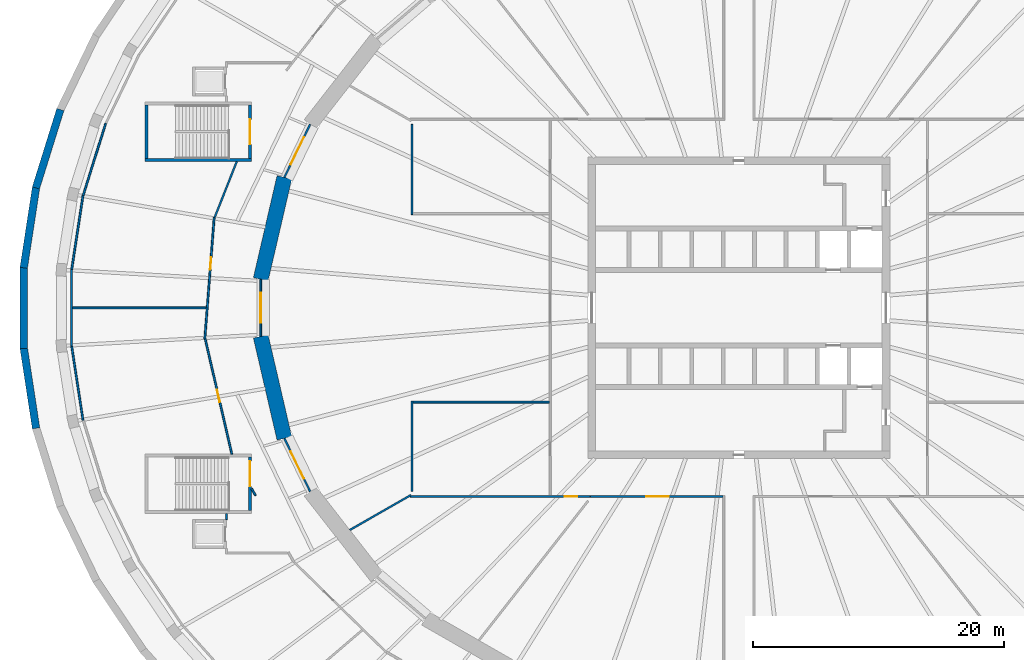
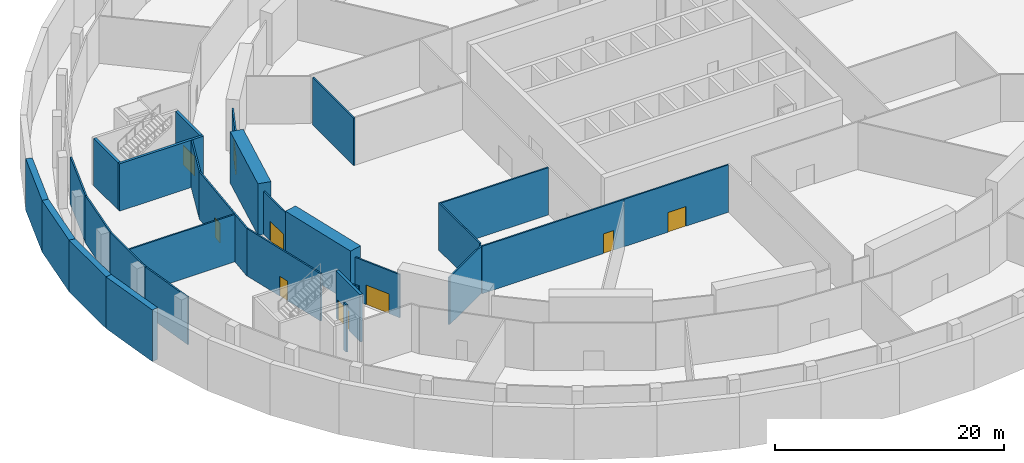
# One storey, part 6 of 14: 29 walls, 9 doors, 9 openings.
"""IFC4 building model written with IfcOpenShell, lengths in metres."""

from ifc_helpers import new_model, si_unit, direction, frame, frame_2d, origin, place, context, subcontext, project, spatial, polyline, rectangle, outline, extrude, material, layer, layer_set, type_object, element, fill, save


model = new_model("IFC4")

# Units and contexts
model_context = context("Model", 3, precision=1e-05, world=origin(), true_north=direction((0.0, 1.0)))
body_context = subcontext(model_context, "Body", "Model", "MODEL_VIEW")
ifc_project = project(units=[si_unit("LENGTHUNIT", "METRE"), si_unit("AREAUNIT", "SQUARE_METRE"), si_unit("VOLUMEUNIT", "CUBIC_METRE"), si_unit("PLANEANGLEUNIT", "RADIAN"), si_unit("MASSUNIT", "GRAM", prefix="KILO")], contexts=[model_context])

# Site, building, storey
site_placement = place(None, origin())
site = spatial("IfcSite", under=ifc_project, at=site_placement, CompositionType="ELEMENT")
building_placement = place(site_placement, origin())
building = spatial("IfcBuilding", under=site, at=building_placement, Name="Halqa Exchange Tower", CompositionType="ELEMENT")
storey_placement = place(building_placement, frame((0.0, 0.0, -9.5)))
storey = spatial("IfcBuildingStorey", under=building, at=storey_placement, Name="B2", CompositionType="ELEMENT", Elevation=-9.5)

# Walls
ifc_material_1 = material(Name="Fire-rated gypsum board")
ifc_layer_1 = layer(ifc_material_1, 0.14990234375)
ifc_layer_set_1 = layer_set([ifc_layer_1], Name="Fire-rated gypsum board")
wall_type_1 = type_object("IfcWallType", Name="Fire partition EI 60 150", PredefinedType="PARTITIONING", material=ifc_layer_set_1)
wall_1_placement = place(storey_placement, frame((-53.080078125, -3.05908203125, 0.0), z_axis=(0.0, 0.0, 1.0), x_axis=(0.0, 1.0, 0.0)))
element("IfcWall", 1, at=wall_1_placement, inside=storey, type_object=wall_type_1, Name="B2-PWL-001", PredefinedType="PARTITIONING", context=body_context, shape_type="SweptSolid", body=[
    extrude(rectangle(XDim=6.1181640625, YDim=0.14990234375, at=frame_2d((3.05908203125, 0.0))), origin(), (0.0, 0.0, 1.0), 5.050048828125),
])
for number, where, z_axis, x_axis, name in (
    (2, (-53.06640625, 3.05859375, 0.0), (0.0, 0.0, 1.0), (0.151282812967, 0.988490521199, 0.0), "B2-PWL-002"),
    (3, (-52.166748046875, -8.93701171875, 0.0), (0.0, 0.0, 1.0), (-0.151282812967, 0.988490521199, 0.0), "B2-PWL-003"),
):
    element("IfcWall", number, at=place(storey_placement, frame(where, z_axis=z_axis, x_axis=x_axis)), inside=storey, type_object=wall_type_1, Name=name, PredefinedType="PARTITIONING", context=body_context, shape_type="SweptSolid", body=[
        extrude(rectangle(XDim=5.94677734375, YDim=0.14990234375, at=frame_2d((2.973388671875, 0.0))), origin(), (0.0, 0.0, 1.0), 5.050048828125),
    ])
wall_2_placement = place(storey_placement, frame((-52.15380859375, 8.93408203125, 0.0), z_axis=(0.0, 0.0, 1.0), x_axis=(0.297713123711, 0.954655380737, 0.0)))
element("IfcWall", 4, at=wall_2_placement, inside=storey, type_object=wall_type_1, Name="B2-PWL-005", PredefinedType="PARTITIONING", context=body_context, shape_type="SweptSolid", body=[
    extrude(rectangle(XDim=6.0126953125, YDim=0.14990234375, at=frame_2d((3.00634765625, 0.0))), origin(), (0.0, 0.0, 1.0), 5.050048828125),
])

# Wall, opening, door
wall_3_placement = place(storey_placement, frame((-42.478271484375, -2.476806640625, 0.0), z_axis=(0.0, 0.0, 1.0), x_axis=(0.077027803404, 0.997028945168, 0.0)))
wall_3 = element("IfcWall", 5, at=wall_3_placement, inside=storey, type_object=wall_type_1, Name="B2-PWL-011", PredefinedType="PARTITIONING", context=body_context, shape_type="SweptSolid", body=[
    extrude(rectangle(XDim=9.6923828125, YDim=0.14990234375, at=frame_2d((4.84619140625, 0.0))), origin(), (0.0, 0.0, 1.0), 5.050048828125),
])
opening_1_placement = place(wall_3_placement, frame((5.51953125, 0.0, 0.0)))
opening_1 = element("IfcOpeningElement", 6, at=opening_1_placement, cuts=wall_3, Name="Opening B2-28", PredefinedType="OPENING", context=body_context, shape_type="SweptSolid", body=[
    extrude(rectangle(XDim=1.0, YDim=2.10009765625, at=frame_2d((0.5, 1.050048828125))), frame((0.0, 0.0869140625, 0.0), z_axis=(0.0, -1.0, 0.0), x_axis=(1.0, 0.0, 0.0)), (0.0, 0.0, 1.0), 0.173828125),
])
ifc_material_2 = material(Name="Steel fire door leaf", Category="steel")
door_type_1 = type_object("IfcDoorType", Name="Fire door FD30S 1000 x 2100", OperationType="SINGLE_SWING_LEFT", PredefinedType="DOOR", material=ifc_material_2)
door_1_placement = place(opening_1_placement, origin())
door_1 = element("IfcDoor", 7, at=door_1_placement, inside=storey, type_object=door_type_1, Name="B2-IDR-028", OperationType="SINGLE_SWING_RIGHT", OverallHeight=2.10009765625, OverallWidth=1.0, PredefinedType="DOOR", context=body_context, shape_type="SweptSolid", body=[
    extrude(rectangle(XDim=1.0, YDim=2.10009765625, at=frame_2d((0.5, 1.050048828125))), frame((0.0, 0.02490234375, 0.0), z_axis=(0.0, -1.0, 0.0), x_axis=(1.0, 0.0, 0.0)), (0.0, 0.0, 1.0), 0.050048828125),
])
fill(opening_1, door_1)

wall_4_placement = place(storey_placement, frame((-42.44482421875, -2.478515625, 0.0), z_axis=(0.0, 0.0, 1.0), x_axis=(0.225569688732, -0.974227034898, 0.0)))
wall_4 = element("IfcWall", 8, at=wall_4_placement, inside=storey, type_object=wall_type_1, Name="B2-PWL-012", PredefinedType="PARTITIONING", context=body_context, shape_type="SweptSolid", body=[
    extrude(outline(polyline([(0.0, -0.074951171875), (9.371826171875, -0.074951171875), (9.406494140625, 0.074951171875), (0.0, 0.074951171875), (0.0, -0.074951171875)])), origin(), (0.0, 0.0, 1.0), 5.050048828125),
])
opening_2_placement = place(wall_4_placement, frame((4.13671875, 0.0, 0.0)))
opening_2 = element("IfcOpeningElement", 9, at=opening_2_placement, cuts=wall_4, Name="Opening B2-29", PredefinedType="OPENING", context=body_context, shape_type="SweptSolid", body=[
    extrude(rectangle(XDim=1.0, YDim=2.10009765625, at=frame_2d((0.5, 1.050048828125))), frame((0.0, 0.0869140625, 0.0), z_axis=(0.0, -1.0, 0.0), x_axis=(1.0, 0.0, 0.0)), (0.0, 0.0, 1.0), 0.173828125),
])
door_2_placement = place(opening_2_placement, origin())
door_2 = element("IfcDoor", 10, at=door_2_placement, inside=storey, type_object=door_type_1, Name="B2-IDR-029", OperationType="SINGLE_SWING_RIGHT", OverallHeight=2.10009765625, OverallWidth=1.0, PredefinedType="DOOR", context=body_context, shape_type="SweptSolid", body=[
    extrude(rectangle(XDim=1.0, YDim=2.10009765625, at=frame_2d((0.5, 1.050048828125))), frame((0.0, 0.02490234375, 0.0), z_axis=(0.0, -1.0, 0.0), x_axis=(1.0, 0.0, 0.0)), (0.0, 0.0, 1.0), 0.050048828125),
])
fill(opening_2, door_2)

# Walls
wall_5_placement = place(storey_placement, frame((-42.361572265625, 0.0, 0.0), z_axis=(0.0, 0.0, 1.0), x_axis=(-1.0, 0.0, 0.0)))
element("IfcWall", 11, at=wall_5_placement, inside=storey, type_object=wall_type_1, Name="B2-PWL-013", PredefinedType="PARTITIONING", context=body_context, shape_type="SweptSolid", body=[
    extrude(outline(polyline([(-0.005859375, -0.074951171875), (10.643310546875, -0.074951171875), (10.643310546875, 0.074951171875), (0.005859375, 0.074951171875), (-0.005859375, -0.074951171875)])), origin(), (0.0, 0.0, 1.0), 5.050048828125),
])
wall_6_placement = place(storey_placement, frame((-41.69921875, 7.18310546875, 0.0), z_axis=(0.0, 0.0, 1.0), x_axis=(0.367872650967, 0.929876181365, 0.0)))
element("IfcWall", 12, at=wall_6_placement, inside=storey, type_object=wall_type_1, Name="B2-PWL-014", PredefinedType="PARTITIONING", context=body_context, shape_type="SweptSolid", body=[
    extrude(outline(polyline([(0.0, -0.074951171875), (4.80712890625, -0.074951171875), (4.748046875, 0.074951171875), (0.0, 0.074951171875), (0.0, -0.074951171875)])), origin(), (0.0, 0.0, 1.0), 5.050048828125),
])
wall_7_placement = place(storey_placement, frame((-40.75, -16.85009765625, 0.0), z_axis=(0.0, 0.0, 1.0), x_axis=(0.0, 1.0, 0.0)))
element("IfcWall", 13, at=wall_7_placement, inside=storey, type_object=wall_type_1, Name="B2-PWL-016", PredefinedType="PARTITIONING", context=body_context, shape_type="SweptSolid", body=[
    extrude(rectangle(XDim=0.47607421875, YDim=0.14990234375, at=frame_2d((0.238037109375, 0.0))), origin(), (0.0, 0.0, 1.0), 5.050048828125),
])
wall_8_placement = place(storey_placement, frame((-38.44189453125, -14.925537109375, 0.0), z_axis=(0.0, 0.0, 1.0), x_axis=(-0.491736998712, 0.870743776376, 0.0)))
element("IfcWall", 14, at=wall_8_placement, inside=storey, type_object=wall_type_1, Name="B2-PWL-023", PredefinedType="PARTITIONING", context=body_context, shape_type="SweptSolid", body=[
    extrude(rectangle(XDim=0.628173828125, YDim=0.14990234375, at=frame_2d((0.31396484375, 0.0))), origin(), (0.0, 0.0, 1.0), 5.050048828125),
])

# Wall, opening, door
wall_9_placement = place(storey_placement, frame((-38.030029296875, -2.267578125, 0.0), z_axis=(0.0, 0.0, 1.0), x_axis=(0.0, 1.0, 0.0)))
wall_9 = element("IfcWall", 15, at=wall_9_placement, inside=storey, type_object=wall_type_1, Name="B2-PWL-024", PredefinedType="PARTITIONING", context=body_context, shape_type="SweptSolid", body=[
    extrude(outline(polyline([(0.017333984375, -0.074951171875), (4.517822265625, -0.074951171875), (4.552490234375, 0.074951171875), (-0.017333984375, 0.074951171875), (0.017333984375, -0.074951171875)])), origin(), (0.0, 0.0, 1.0), 4.60009765625),
])
opening_3_placement = place(wall_9_placement, frame((1.0673828125, 0.0, 0.0)))
opening_3 = element("IfcOpeningElement", 16, at=opening_3_placement, cuts=wall_9, Name="Opening B2-19", PredefinedType="OPENING", context=body_context, shape_type="SweptSolid", body=[
    extrude(rectangle(XDim=2.39990234375, YDim=2.10009765625, at=frame_2d((1.199951171875, 1.050048828125))), frame((0.0, 0.0869140625, 0.0), z_axis=(0.0, -1.0, 0.0), x_axis=(1.0, 0.0, 0.0)), (0.0, 0.0, 1.0), 0.173828125),
])
door_type_2 = type_object("IfcDoorType", Name="Fire door FD60S double 2400 x 2100", OperationType="DOUBLE_DOOR_SINGLE_SWING", PredefinedType="DOOR", material=ifc_material_2)
door_3_placement = place(opening_3_placement, origin())
door_3 = element("IfcDoor", 17, at=door_3_placement, inside=storey, type_object=door_type_2, Name="B2-IDR-019", OperationType="DOUBLE_DOOR_SINGLE_SWING", OverallHeight=2.10009765625, OverallWidth=2.39990234375, PredefinedType="DOOR", context=body_context, shape_type="SweptSolid", body=[
    extrude(rectangle(XDim=2.39990234375, YDim=2.10009765625, at=frame_2d((1.199951171875, 1.050048828125))), frame((0.0, 0.02490234375, 0.0), z_axis=(0.0, -1.0, 0.0), x_axis=(1.0, 0.0, 0.0)), (0.0, 0.0, 1.0), 0.050048828125),
])
fill(opening_3, door_3)

wall_10_placement = place(storey_placement, frame((-36.14990234375, 10.3798828125, 0.0), z_axis=(0.0, 0.0, 1.0), x_axis=(0.436936398764, 0.899492403212, 0.0)))
wall_10 = element("IfcWall", 18, at=wall_10_placement, inside=storey, type_object=wall_type_1, Name="B2-PWL-025", PredefinedType="PARTITIONING", context=body_context, shape_type="SweptSolid", body=[
    extrude(outline(polyline([(0.01708984375, -0.074951171875), (4.68212890625, -0.074951171875), (4.7138671875, 0.074951171875), (-0.01708984375, 0.074951171875), (0.01708984375, -0.074951171875)])), origin(), (0.0, 0.0, 1.0), 4.60009765625),
])
opening_4_placement = place(wall_10_placement, frame((1.145751953125, 0.0, 0.0)))
opening_4 = element("IfcOpeningElement", 19, at=opening_4_placement, cuts=wall_10, Name="Opening B2-18", PredefinedType="OPENING", context=body_context, shape_type="SweptSolid", body=[
    extrude(rectangle(XDim=2.39990234375, YDim=2.10009765625, at=frame_2d((1.199951171875, 1.050048828125))), frame((0.0, 0.0869140625, 0.0), z_axis=(0.0, -1.0, 0.0), x_axis=(1.0, 0.0, 0.0)), (0.0, 0.0, 1.0), 0.173828125),
])
door_4_placement = place(opening_4_placement, origin())
door_4 = element("IfcDoor", 20, at=door_4_placement, inside=storey, type_object=door_type_2, Name="B2-IDR-018", OperationType="DOUBLE_DOOR_SINGLE_SWING", OverallHeight=2.10009765625, OverallWidth=2.39990234375, PredefinedType="DOOR", context=body_context, shape_type="SweptSolid", body=[
    extrude(rectangle(XDim=2.39990234375, YDim=2.10009765625, at=frame_2d((1.199951171875, 1.050048828125))), frame((0.0, 0.02490234375, 0.0), z_axis=(0.0, -1.0, 0.0), x_axis=(1.0, 0.0, 0.0)), (0.0, 0.0, 1.0), 0.050048828125),
])
fill(opening_4, door_4)

wall_11_placement = place(storey_placement, frame((-34.1005859375, -14.608642578125, 0.0), z_axis=(0.0, 0.0, 1.0), x_axis=(-0.436102687495, 0.899896908518, 0.0)))
wall_11 = element("IfcWall", 21, at=wall_11_placement, inside=storey, type_object=wall_type_1, Name="B2-PWL-031", PredefinedType="PARTITIONING", context=body_context, shape_type="SweptSolid", body=[
    extrude(outline(polyline([(0.01611328125, -0.074951171875), (4.68212890625, -0.074951171875), (4.71630859375, 0.074951171875), (-0.01611328125, 0.074951171875), (0.01611328125, -0.074951171875)])), origin(), (0.0, 0.0, 1.0), 4.60009765625),
])
opening_5_placement = place(wall_11_placement, frame((1.148681640625, 0.0, 0.0)))
opening_5 = element("IfcOpeningElement", 22, at=opening_5_placement, cuts=wall_11, Name="Opening B2-20", PredefinedType="OPENING", context=body_context, shape_type="SweptSolid", body=[
    extrude(rectangle(XDim=2.39990234375, YDim=2.10009765625, at=frame_2d((1.199951171875, 1.050048828125))), frame((0.0, 0.0869140625, 0.0), z_axis=(0.0, -1.0, 0.0), x_axis=(1.0, 0.0, 0.0)), (0.0, 0.0, 1.0), 0.173828125),
])
door_5_placement = place(opening_5_placement, origin())
door_5 = element("IfcDoor", 23, at=door_5_placement, inside=storey, type_object=door_type_2, Name="B2-IDR-020", OperationType="DOUBLE_DOOR_SINGLE_SWING", OverallHeight=2.10009765625, OverallWidth=2.39990234375, PredefinedType="DOOR", context=body_context, shape_type="SweptSolid", body=[
    extrude(rectangle(XDim=2.39990234375, YDim=2.10009765625, at=frame_2d((1.199951171875, 1.050048828125))), frame((0.0, 0.02490234375, 0.0), z_axis=(0.0, -1.0, 0.0), x_axis=(1.0, 0.0, 0.0)), (0.0, 0.0, 1.0), 0.050048828125),
])
fill(opening_5, door_5)

# Wall
wall_12_placement = place(storey_placement, frame((-26.0, -14.599609375, 0.0), z_axis=(0.0, 0.0, 1.0), x_axis=(0.0, 1.0, 0.0)))
element("IfcWall", 24, at=wall_12_placement, inside=storey, type_object=wall_type_1, Name="B2-PWL-038", PredefinedType="PARTITIONING", context=body_context, shape_type="SweptSolid", body=[
    extrude(rectangle(XDim=7.174560546875, YDim=0.14990234375, at=frame_2d((3.58740234375, 0.0))), origin(), (0.0, 0.0, 1.0), 5.050048828125),
])

# Wall, opening, door
wall_13_placement = place(storey_placement, frame((-26.1298828125, -15.0, 0.0), z_axis=(0.0, 0.0, 1.0), x_axis=(1.0, 0.0, 0.0)))
wall_13 = element("IfcWall", 25, at=wall_13_placement, inside=storey, type_object=wall_type_1, Name="B2-PWL-039", PredefinedType="PARTITIONING", context=body_context, shape_type="SweptSolid", body=[
    extrude(rectangle(XDim=14.31982421875, YDim=0.14990234375, at=frame_2d((7.159912109375, 0.0))), origin(), (0.0, 0.0, 1.0), 5.050048828125),
])
opening_6_placement = place(wall_13_placement, frame((12.280029296875, 0.0, 0.0)))
opening_6 = element("IfcOpeningElement", 26, at=opening_6_placement, cuts=wall_13, Name="Opening B2-13", PredefinedType="OPENING", context=body_context, shape_type="SweptSolid", body=[
    extrude(rectangle(XDim=1.0, YDim=2.10009765625, at=frame_2d((0.5, 1.050048828125))), frame((0.0, 0.0869140625, 0.0), z_axis=(0.0, -1.0, 0.0), x_axis=(1.0, 0.0, 0.0)), (0.0, 0.0, 1.0), 0.173828125),
])
door_6_placement = place(opening_6_placement, origin())
door_6 = element("IfcDoor", 27, at=door_6_placement, inside=storey, type_object=door_type_1, Name="B2-IDR-013", OperationType="SINGLE_SWING_RIGHT", OverallHeight=2.10009765625, OverallWidth=1.0, PredefinedType="DOOR", context=body_context, shape_type="SweptSolid", body=[
    extrude(rectangle(XDim=1.0, YDim=2.10009765625, at=frame_2d((0.5, 1.050048828125))), frame((0.0, 0.02490234375, 0.0), z_axis=(0.0, -1.0, 0.0), x_axis=(1.0, 0.0, 0.0)), (0.0, 0.0, 1.0), 0.050048828125),
])
fill(opening_6, door_6)

# Walls
wall_14_placement = place(storey_placement, frame((-26.07421875, -14.88232421875, 0.0), z_axis=(0.0, 0.0, 1.0), x_axis=(-0.868133416031, -0.496330909746, 0.0)))
element("IfcWall", 28, at=wall_14_placement, inside=storey, type_object=wall_type_1, Name="B2-PWL-040", PredefinedType="PARTITIONING", context=body_context, shape_type="SweptSolid", body=[
    extrude(outline(polyline([(0.0, -0.074951171875), (5.625732421875, -0.074951171875), (5.604248046875, 0.074951171875), (0.0, 0.074951171875), (0.0, -0.074951171875)])), origin(), (0.0, 0.0, 1.0), 5.050048828125),
])
wall_15_placement = place(storey_placement, frame((-25.926025390625, -7.5, 0.0), z_axis=(0.0, 0.0, 1.0), x_axis=(1.0, 0.0, 0.0)))
element("IfcWall", 29, at=wall_15_placement, inside=storey, type_object=wall_type_1, Name="B2-PWL-041", PredefinedType="PARTITIONING", context=body_context, shape_type="SweptSolid", body=[
    extrude(rectangle(XDim=10.85107421875, YDim=0.14990234375, at=frame_2d((5.425537109375, 0.0))), origin(), (0.0, 0.0, 1.0), 5.050048828125),
])
wall_16_placement = place(storey_placement, frame((-26.0, 7.425048828125, 0.0), z_axis=(0.0, 0.0, 1.0), x_axis=(0.0, 1.0, 0.0)))
element("IfcWall", 30, at=wall_16_placement, inside=storey, type_object=wall_type_1, Name="B2-PWL-042", PredefinedType="PARTITIONING", context=body_context, shape_type="SweptSolid", body=[
    extrude(rectangle(XDim=7.174560546875, YDim=0.14990234375, at=frame_2d((3.58740234375, 0.0))), origin(), (0.0, 0.0, 1.0), 5.050048828125),
])

# Wall, opening, door
wall_17_placement = place(storey_placement, frame((-1.27490234375, -15.0, 0.0), z_axis=(0.0, 0.0, 1.0), x_axis=(-1.0, 0.0, 0.0)))
wall_17 = element("IfcWall", 31, at=wall_17_placement, inside=storey, type_object=wall_type_1, Name="B2-PWL-072", PredefinedType="PARTITIONING", context=body_context, shape_type="SweptSolid", body=[
    extrude(rectangle(XDim=10.53564453125, YDim=0.14990234375, at=frame_2d((5.267822265625, 0.0))), origin(), (0.0, 0.0, 1.0), 5.050048828125),
])
opening_7_placement = place(wall_17_placement, frame((4.2939453125, 0.0, 0.0)))
opening_7 = element("IfcOpeningElement", 32, at=opening_7_placement, cuts=wall_17, Name="Opening B2-14", PredefinedType="OPENING", context=body_context, shape_type="SweptSolid", body=[
    extrude(rectangle(XDim=1.800048828125, YDim=2.10009765625, at=frame_2d((0.89990234375, 1.050048828125))), frame((0.0, 0.0869140625, 0.0), z_axis=(0.0, -1.0, 0.0), x_axis=(1.0, 0.0, 0.0)), (0.0, 0.0, 1.0), 0.173828125),
])
door_type_3 = type_object("IfcDoorType", Name="Fire door FD30S double 1800 x 2100", OperationType="DOUBLE_DOOR_SINGLE_SWING", PredefinedType="DOOR", material=ifc_material_2)
door_7_placement = place(opening_7_placement, frame((1.800048828125, 0.0, 0.0), z_axis=(0.0, 0.0, 1.0), x_axis=(-1.0, 0.0, 0.0)))
door_7 = element("IfcDoor", 33, at=door_7_placement, inside=storey, type_object=door_type_3, Name="B2-IDR-014", OperationType="DOUBLE_DOOR_SINGLE_SWING", OverallHeight=2.10009765625, OverallWidth=1.800048828125, PredefinedType="DOOR", context=body_context, shape_type="SweptSolid", body=[
    extrude(rectangle(XDim=1.800048828125, YDim=2.10009765625, at=frame_2d((0.89990234375, 1.050048828125))), frame((0.0, 0.02490234375, 0.0), z_axis=(0.0, -1.0, 0.0), x_axis=(1.0, 0.0, 0.0)), (0.0, 0.0, 1.0), 0.050048828125),
])
fill(opening_7, door_7)

# Walls
ifc_material_3 = material(Name="Concrete C40/50", Category="concrete")
ifc_layer_2 = layer(ifc_material_3, 0.60009765625)
ifc_layer_set_2 = layer_set([ifc_layer_2], Name="Concrete C40/50")
wall_type_2 = type_object("IfcWallType", Name="RC basement wall 600", PredefinedType="SOLIDWALL", material=ifc_layer_set_2)
wall_18_placement = place(storey_placement, frame((-53.968505859375, 15.771484375, 0.0), z_axis=(0.0, 0.0, 1.0), x_axis=(-0.297591507632, -0.954693298701, 0.0)))
element("IfcWall", 34, at=wall_18_placement, inside=storey, type_object=wall_type_2, Name="Basement retaining wall", PredefinedType="SOLIDWALL", context=body_context, shape_type="SweptSolid", body=[
    extrude(rectangle(XDim=6.529541015625, YDim=0.60009765625, at=frame_2d((3.2646484375, 0.0))), origin(), (0.0, 0.0, 1.0), 5.5),
])
wall_19_placement = place(storey_placement, frame((-55.9013671875, 9.581787109375, 0.0), z_axis=(0.0, 0.0, 1.0), x_axis=(-0.151402579615, -0.988472184174, 0.0)))
element("IfcWall", 35, at=wall_19_placement, inside=storey, type_object=wall_type_2, Name="Basement retaining wall", PredefinedType="SOLIDWALL", context=body_context, shape_type="SweptSolid", body=[
    extrude(rectangle(XDim=6.474365234375, YDim=0.60009765625, at=frame_2d((3.2373046875, 0.0))), origin(), (0.0, 0.0, 1.0), 5.5),
])
wall_20_placement = place(storey_placement, frame((-56.8779296875, 3.2275390625, 0.0), z_axis=(0.0, 0.0, 1.0), x_axis=(0.0, -1.0, 0.0)))
element("IfcWall", 36, at=wall_20_placement, inside=storey, type_object=wall_type_2, Name="Basement retaining wall", PredefinedType="SOLIDWALL", context=body_context, shape_type="SweptSolid", body=[
    extrude(rectangle(XDim=6.455078125, YDim=0.60009765625, at=frame_2d((3.2275390625, 0.0))), origin(), (0.0, 0.0, 1.0), 5.5),
])
wall_21_placement = place(storey_placement, frame((-56.881591796875, -3.18212890625, 0.0), z_axis=(0.0, 0.0, 1.0), x_axis=(0.151402579615, -0.988472184174, 0.0)))
element("IfcWall", 37, at=wall_21_placement, inside=storey, type_object=wall_type_2, Name="Basement retaining wall", PredefinedType="SOLIDWALL", context=body_context, shape_type="SweptSolid", body=[
    extrude(rectangle(XDim=6.474365234375, YDim=0.60009765625, at=frame_2d((3.2373046875, 0.0))), origin(), (0.0, 0.0, 1.0), 5.5),
])
ifc_material_4 = material(Name="Concrete C80/95", Category="concrete")
ifc_layer_3 = layer(ifc_material_4, 1.199951171875)
ifc_layer_set_3 = layer_set([ifc_layer_3], Name="Concrete C80/95")
wall_type_3 = type_object("IfcWallType", Name="RC ring pier 1200 C80/95", PredefinedType="SHEAR", material=ifc_layer_set_3)
for number, where, z_axis, x_axis, name in (
    (38, (-36.14892578125, 10.38037109375, 0.0), (0.0, 0.0, 1.0), (-0.226058185805, -0.974113800657, 0.0), "Ring pier 8"),
    (39, (-38.03173828125, -2.26708984375, 0.0), (0.0, 0.0, 1.0), (0.226058185805, -0.974113800657, 0.0), "Ring pier 9"),
):
    element("IfcWall", number, at=place(storey_placement, frame(where, z_axis=z_axis, x_axis=x_axis)), inside=storey, type_object=wall_type_3, Name=name, PredefinedType="SHEAR", context=body_context, shape_type="SweptSolid", body=[
        extrude(rectangle(XDim=8.328857421875, YDim=1.199951171875, at=frame_2d((4.16455078125, 0.0))), origin(), (0.0, 0.0, 1.0), 5.5),
    ])
ifc_material_5 = material(Name="Concrete C30/37", Category="concrete")
ifc_layer_4 = layer(ifc_material_5, 0.25)
ifc_layer_set_4 = layer_set([ifc_layer_4], Name="Concrete C30/37")
wall_type_4 = type_object("IfcWallType", Name="RC stair wall 250 C30/37", PredefinedType="SHEAR", material=ifc_layer_set_4)
wall_22_placement = place(storey_placement, frame((-47.25, 11.75, 0.0), z_axis=(0.0, 0.0, 1.0), x_axis=(1.0, 0.0, 0.0)))
element("IfcWall", 40, at=wall_22_placement, inside=storey, type_object=wall_type_4, Name="Stair SS3 wall south", PredefinedType="SHEAR", context=body_context, shape_type="SweptSolid", body=[
    extrude(rectangle(XDim=8.5, YDim=0.25, at=frame_2d((4.25, 0.0))), origin(), (0.0, 0.0, 1.0), 5.050048828125),
])
wall_23_placement = place(storey_placement, frame((-47.125, 11.875, 0.0), z_axis=(0.0, 0.0, 1.0), x_axis=(0.0, 1.0, 0.0)))
element("IfcWall", 41, at=wall_23_placement, inside=storey, type_object=wall_type_4, Name="Stair SS3 wall west", PredefinedType="SHEAR", context=body_context, shape_type="SweptSolid", body=[
    extrude(rectangle(XDim=4.25, YDim=0.25, at=frame_2d((2.125, 0.0))), origin(), (0.0, 0.0, 1.0), 5.050048828125),
])

# Wall, opening, door
wall_24_placement = place(storey_placement, frame((-38.875, 11.875, 0.0), z_axis=(0.0, 0.0, 1.0), x_axis=(0.0, 1.0, 0.0)))
wall_24 = element("IfcWall", 42, at=wall_24_placement, inside=storey, type_object=wall_type_4, Name="Stair SS3 wall east", PredefinedType="SHEAR", context=body_context, shape_type="SweptSolid", body=[
    extrude(rectangle(XDim=4.25, YDim=0.25, at=frame_2d((2.125, 0.0))), origin(), (0.0, 0.0, 1.0), 5.050048828125),
])
opening_8_placement = place(wall_24_placement, frame((1.125, 0.0, 0.0)))
opening_8 = element("IfcOpeningElement", 43, at=opening_8_placement, cuts=wall_24, Name="Opening B2-C13", PredefinedType="OPENING", context=body_context, shape_type="SweptSolid", body=[
    extrude(rectangle(XDim=2.0, YDim=2.10009765625, at=frame_2d((1.0, 1.050048828125))), frame((0.0, 0.136962890625, 0.0), z_axis=(0.0, -1.0, 0.0), x_axis=(1.0, 0.0, 0.0)), (0.0, 0.0, 1.0), 0.27392578125),
])
door_type_4 = type_object("IfcDoorType", Name="Station stair double door FD90 2000 x 2100", OperationType="DOUBLE_DOOR_SINGLE_SWING", PredefinedType="DOOR", material=ifc_material_2)
door_8_placement = place(opening_8_placement, origin())
door_8 = element("IfcDoor", 44, at=door_8_placement, inside=storey, type_object=door_type_4, Name="Core room door", OperationType="DOUBLE_DOOR_SINGLE_SWING", OverallHeight=2.10009765625, OverallWidth=2.0, PredefinedType="DOOR", context=body_context, shape_type="SweptSolid", body=[
    extrude(rectangle(XDim=2.0, YDim=2.10009765625, at=frame_2d((1.0, 1.050048828125))), frame((0.0, 0.02490234375, 0.0), z_axis=(0.0, -1.0, 0.0), x_axis=(1.0, 0.0, 0.0)), (0.0, 0.0, 1.0), 0.050048828125),
])
fill(opening_8, door_8)

wall_25_placement = place(storey_placement, frame((-38.875, -16.125, 0.0), z_axis=(0.0, 0.0, 1.0), x_axis=(0.0, 1.0, 0.0)))
wall_25 = element("IfcWall", 45, at=wall_25_placement, inside=storey, type_object=wall_type_4, Name="Stair SS4 wall east", PredefinedType="SHEAR", context=body_context, shape_type="SweptSolid", body=[
    extrude(rectangle(XDim=4.25, YDim=0.25, at=frame_2d((2.125, 0.0))), origin(), (0.0, 0.0, 1.0), 5.050048828125),
])
opening_9_placement = place(wall_25_placement, frame((1.925048828125, 0.0, 0.0)))
opening_9 = element("IfcOpeningElement", 46, at=opening_9_placement, cuts=wall_25, Name="Opening B2-C14", PredefinedType="OPENING", context=body_context, shape_type="SweptSolid", body=[
    extrude(rectangle(XDim=2.0, YDim=2.10009765625, at=frame_2d((1.0, 1.050048828125))), frame((0.0, 0.136962890625, 0.0), z_axis=(0.0, -1.0, 0.0), x_axis=(1.0, 0.0, 0.0)), (0.0, 0.0, 1.0), 0.27392578125),
])
door_9_placement = place(opening_9_placement, origin())
door_9 = element("IfcDoor", 47, at=door_9_placement, inside=storey, type_object=door_type_4, Name="Core room door", OperationType="DOUBLE_DOOR_SINGLE_SWING", OverallHeight=2.10009765625, OverallWidth=2.0, PredefinedType="DOOR", context=body_context, shape_type="SweptSolid", body=[
    extrude(rectangle(XDim=2.0, YDim=2.10009765625, at=frame_2d((1.0, 1.050048828125))), frame((0.0, 0.02490234375, 0.0), z_axis=(0.0, -1.0, 0.0), x_axis=(1.0, 0.0, 0.0)), (0.0, 0.0, 1.0), 0.050048828125),
])
fill(opening_9, door_9)

save(model, "model.ifc")
